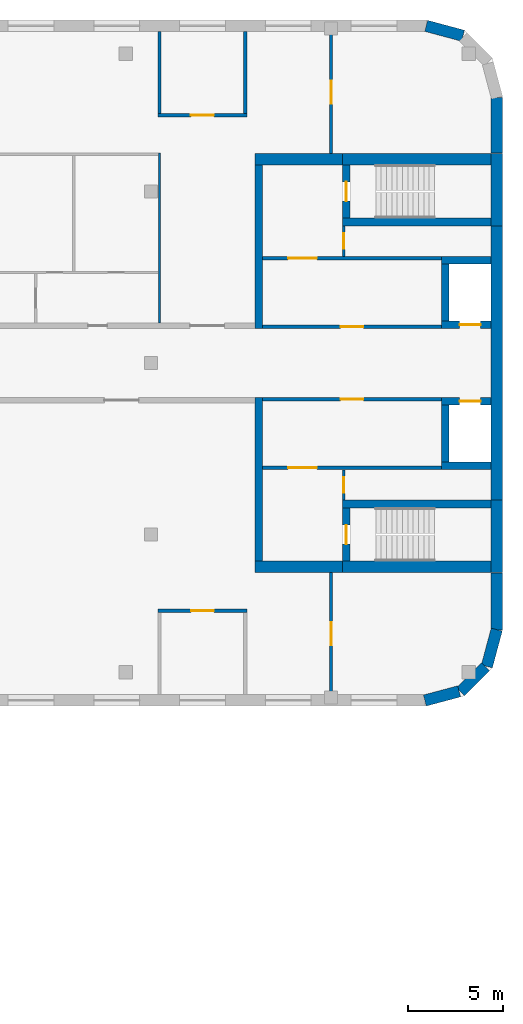
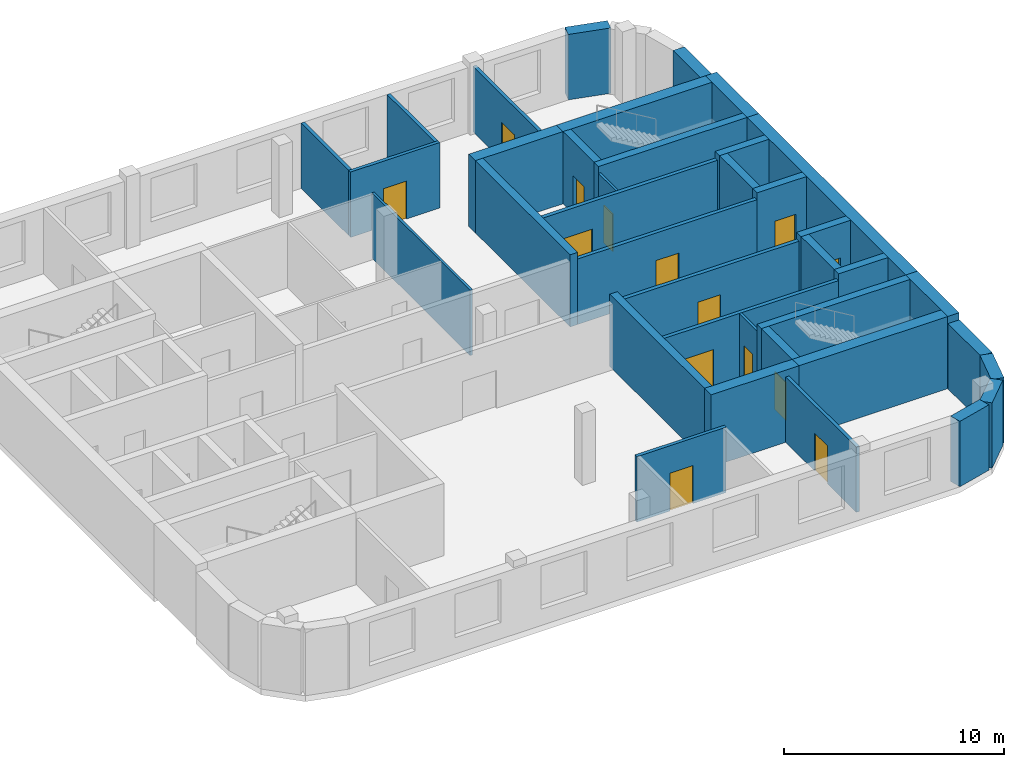
# One storey, part 9 of 12: 38 walls, 14 doors, 14 openings.
"""IFC4 building model written with IfcOpenShell, lengths in metres."""

from ifc_helpers import new_model, si_unit, direction, frame, frame_2d, origin, place, context, subcontext, project, spatial, rectangle, extrude, material, layer, layer_set, type_object, element, fill, save


model = new_model("IFC4")

# Units and contexts
model_context = context("Model", 3, precision=1e-05, world=origin(), true_north=direction((0.0, 1.0)))
body_context = subcontext(model_context, "Body", "Model", "MODEL_VIEW")
ifc_project = project(units=[si_unit("LENGTHUNIT", "METRE"), si_unit("AREAUNIT", "SQUARE_METRE"), si_unit("VOLUMEUNIT", "CUBIC_METRE"), si_unit("PLANEANGLEUNIT", "RADIAN"), si_unit("MASSUNIT", "GRAM", prefix="KILO")], contexts=[model_context])

# Site, building, storey
site_placement = place(None, origin())
site = spatial("IfcSite", under=ifc_project, at=site_placement, CompositionType="ELEMENT")
building_placement = place(site_placement, origin())
building = spatial("IfcBuilding", under=site, at=building_placement, Name="Skarvind Civic Tower", CompositionType="ELEMENT")
storey_placement = place(building_placement, frame((0.0, 0.0, 63.5)))
storey = spatial("IfcBuildingStorey", under=building, at=storey_placement, Name="L14", CompositionType="ELEMENT", Elevation=63.5)

# Wall, opening, door
ifc_material_1 = material(Name="Acoustic gypsum board on steel studs", Category="steel")
ifc_layer_1 = layer(ifc_material_1, 0.175048828125)
ifc_layer_set_1 = layer_set([ifc_layer_1], Name="ACOUSTIC MEETING-ROOM PARTITION 175")
wall_type_1 = type_object("IfcWallType", Name="ACOUSTIC MEETING-ROOM PARTITION 175", PredefinedType="PARTITIONING", material=ifc_layer_set_1)
wall_1_placement = place(storey_placement, frame((148.912109375, 115.0, 0.0), z_axis=(0.0, 0.0, 1.0), x_axis=(1.0, 0.0, 0.0)))
wall_1 = element("IfcWall", 1, at=wall_1_placement, inside=storey, type_object=wall_type_1, Name="Partition 14.009", PredefinedType="PARTITIONING", context=body_context, shape_type="SweptSolid", body=[
    extrude(rectangle(XDim=4.67578125, YDim=0.175048828125, at=frame_2d((2.337890625, 0.0))), origin(), (0.0, 0.0, 1.0), 3.625),
])
opening_1_placement = place(wall_1_placement, frame((1.738037109375, 0.0, 0.0)))
opening_1 = element("IfcOpeningElement", 2, at=opening_1_placement, cuts=wall_1, Name="Opening L14-D110", PredefinedType="OPENING", context=body_context, shape_type="SweptSolid", body=[
    extrude(rectangle(XDim=1.199951171875, YDim=2.10009765625, at=frame_2d((0.60009765625, 1.050048828125))), frame((0.0, 0.097412109375, 0.0), z_axis=(0.0, -1.0, 0.0), x_axis=(1.0, 0.0, 0.0)), (0.0, 0.0, 1.0), 0.195068359375),
])
ifc_material_2 = material(Name="Timber door leaf", Category="wood")
door_type_1 = type_object("IfcDoorType", Name="DOOR 1200X2100 DOUBLE TIMBER", OperationType="NOTDEFINED", PredefinedType="DOOR", material=ifc_material_2)
door_1_placement = place(opening_1_placement, origin())
door_1 = element("IfcDoor", 3, at=door_1_placement, inside=storey, type_object=door_type_1, Name="Door L14-D110", OperationType="DOUBLE_DOOR_SINGLE_SWING", OverallHeight=2.10009765625, OverallWidth=1.199951171875, PredefinedType="DOOR", context=body_context, shape_type="SweptSolid", body=[
    extrude(rectangle(XDim=1.199951171875, YDim=2.10009765625, at=frame_2d((0.60009765625, 1.050048828125))), frame((0.0, 0.02490234375, 0.0), z_axis=(0.0, -1.0, 0.0), x_axis=(1.0, 0.0, 0.0)), (0.0, 0.0, 1.0), 0.050048828125),
])
fill(opening_1, door_1)

# Wall
wall_2_placement = place(storey_placement, frame((149.0, 141.087890625, 0.0), z_axis=(0.0, 0.0, 1.0), x_axis=(0.0, 1.0, 0.0)))
element("IfcWall", 4, at=wall_2_placement, inside=storey, type_object=wall_type_1, Name="Partition 14.011", PredefinedType="PARTITIONING", context=body_context, shape_type="SweptSolid", body=[
    extrude(rectangle(XDim=4.31201171875, YDim=0.175048828125, at=frame_2d((2.156005859375, 0.0))), origin(), (0.0, 0.0, 1.0), 3.625),
])

# Wall, opening, door
wall_3_placement = place(storey_placement, frame((153.587890625, 141.0, 0.0), z_axis=(0.0, 0.0, 1.0), x_axis=(-1.0, 0.0, 0.0)))
wall_3 = element("IfcWall", 5, at=wall_3_placement, inside=storey, type_object=wall_type_1, Name="Partition 14.013", PredefinedType="PARTITIONING", context=body_context, shape_type="SweptSolid", body=[
    extrude(rectangle(XDim=4.67578125, YDim=0.175048828125, at=frame_2d((2.337890625, 0.0))), origin(), (0.0, 0.0, 1.0), 3.625),
])
opening_2_placement = place(wall_3_placement, frame((1.738037109375, 0.0, 0.0)))
opening_2 = element("IfcOpeningElement", 6, at=opening_2_placement, cuts=wall_3, Name="Opening L14-D106", PredefinedType="OPENING", context=body_context, shape_type="SweptSolid", body=[
    extrude(rectangle(XDim=1.199951171875, YDim=2.10009765625, at=frame_2d((0.60009765625, 1.050048828125))), frame((0.0, 0.097412109375, 0.0), z_axis=(0.0, -1.0, 0.0), x_axis=(1.0, 0.0, 0.0)), (0.0, 0.0, 1.0), 0.195068359375),
])
door_2_placement = place(opening_2_placement, origin())
door_2 = element("IfcDoor", 7, at=door_2_placement, inside=storey, type_object=door_type_1, Name="Door L14-D106", OperationType="DOUBLE_DOOR_SINGLE_SWING", OverallHeight=2.10009765625, OverallWidth=1.199951171875, PredefinedType="DOOR", context=body_context, shape_type="SweptSolid", body=[
    extrude(rectangle(XDim=1.199951171875, YDim=2.10009765625, at=frame_2d((0.60009765625, 1.050048828125))), frame((0.0, 0.02490234375, 0.0), z_axis=(0.0, -1.0, 0.0), x_axis=(1.0, 0.0, 0.0)), (0.0, 0.0, 1.0), 0.050048828125),
])
fill(opening_2, door_2)

# Wall
wall_4_placement = place(storey_placement, frame((153.5, 145.39990234375, 0.0), z_axis=(0.0, 0.0, 1.0), x_axis=(0.0, -1.0, 0.0)))
element("IfcWall", 8, at=wall_4_placement, inside=storey, type_object=wall_type_1, Name="Partition 14.014", PredefinedType="PARTITIONING", context=body_context, shape_type="SweptSolid", body=[
    extrude(rectangle(XDim=4.31201171875, YDim=0.175048828125, at=frame_2d((2.156005859375, 0.0))), origin(), (0.0, 0.0, 1.0), 3.625),
])

# Wall, opening, door
wall_5_placement = place(storey_placement, frame((158.0, 110.60009765625, 0.0), z_axis=(0.0, 0.0, 1.0), x_axis=(0.0, 1.0, 0.0)))
wall_5 = element("IfcWall", 9, at=wall_5_placement, inside=storey, type_object=wall_type_1, Name="Partition 14.016", PredefinedType="PARTITIONING", context=body_context, shape_type="SweptSolid", body=[
    extrude(rectangle(XDim=6.39990234375, YDim=0.175048828125, at=frame_2d((3.199951171875, 0.0))), origin(), (0.0, 0.0, 1.0), 3.625),
])
opening_3_placement = place(wall_5_placement, frame((2.60009765625, 0.0, 0.0)))
opening_3 = element("IfcOpeningElement", 10, at=opening_3_placement, cuts=wall_5, Name="Opening L14-D112", PredefinedType="OPENING", context=body_context, shape_type="SweptSolid", body=[
    extrude(rectangle(XDim=1.199951171875, YDim=2.10009765625, at=frame_2d((0.60009765625, 1.050048828125))), frame((0.0, 0.097412109375, 0.0), z_axis=(0.0, -1.0, 0.0), x_axis=(1.0, 0.0, 0.0)), (0.0, 0.0, 1.0), 0.195068359375),
])
door_3_placement = place(opening_3_placement, origin())
door_3 = element("IfcDoor", 11, at=door_3_placement, inside=storey, type_object=door_type_1, Name="Door L14-D112", OperationType="DOUBLE_DOOR_SINGLE_SWING", OverallHeight=2.10009765625, OverallWidth=1.199951171875, PredefinedType="DOOR", context=body_context, shape_type="SweptSolid", body=[
    extrude(rectangle(XDim=1.199951171875, YDim=2.10009765625, at=frame_2d((0.60009765625, 1.050048828125))), frame((0.0, 0.02490234375, 0.0), z_axis=(0.0, -1.0, 0.0), x_axis=(1.0, 0.0, 0.0)), (0.0, 0.0, 1.0), 0.050048828125),
])
fill(opening_3, door_3)

wall_6_placement = place(storey_placement, frame((158.0, 139.0, 0.0), z_axis=(0.0, 0.0, 1.0), x_axis=(0.0, 1.0, 0.0)))
wall_6 = element("IfcWall", 12, at=wall_6_placement, inside=storey, type_object=wall_type_1, Name="Partition 14.017", PredefinedType="PARTITIONING", context=body_context, shape_type="SweptSolid", body=[
    extrude(rectangle(XDim=6.39990234375, YDim=0.175048828125, at=frame_2d((3.199951171875, 0.0))), origin(), (0.0, 0.0, 1.0), 3.625),
])
opening_4_placement = place(wall_6_placement, frame((2.60009765625, 0.0, 0.0)))
opening_4 = element("IfcOpeningElement", 13, at=opening_4_placement, cuts=wall_6, Name="Opening L14-D108", PredefinedType="OPENING", context=body_context, shape_type="SweptSolid", body=[
    extrude(rectangle(XDim=1.199951171875, YDim=2.10009765625, at=frame_2d((0.60009765625, 1.050048828125))), frame((0.0, 0.097412109375, 0.0), z_axis=(0.0, -1.0, 0.0), x_axis=(1.0, 0.0, 0.0)), (0.0, 0.0, 1.0), 0.195068359375),
])
door_4_placement = place(opening_4_placement, origin())
door_4 = element("IfcDoor", 14, at=door_4_placement, inside=storey, type_object=door_type_1, Name="Door L14-D108", OperationType="DOUBLE_DOOR_SINGLE_SWING", OverallHeight=2.10009765625, OverallWidth=1.199951171875, PredefinedType="DOOR", context=body_context, shape_type="SweptSolid", body=[
    extrude(rectangle(XDim=1.199951171875, YDim=2.10009765625, at=frame_2d((0.60009765625, 1.050048828125))), frame((0.0, 0.02490234375, 0.0), z_axis=(0.0, -1.0, 0.0), x_axis=(1.0, 0.0, 0.0)), (0.0, 0.0, 1.0), 0.050048828125),
])
fill(opening_4, door_4)

ifc_material_3 = material(Name="Fire-rated masonry partition", Category="masonry")
ifc_layer_2 = layer(ifc_material_3, 0.199951171875)
ifc_layer_set_2 = layer_set([ifc_layer_2], Name="Core enclosure wall 200")
wall_type_2 = type_object("IfcWallType", Name="Core enclosure wall 200", PredefinedType="PARTITIONING", material=ifc_layer_set_2)
wall_7_placement = place(storey_placement, frame((163.800048828125, 126.10009765625, 0.0), z_axis=(0.0, 0.0, 1.0), x_axis=(-1.0, 0.0, 0.0)))
wall_7 = element("IfcWall", 15, at=wall_7_placement, inside=storey, type_object=wall_type_2, Name="Core wall CB", PredefinedType="PARTITIONING", context=body_context, shape_type="SweptSolid", body=[
    extrude(rectangle(XDim=9.400146484375, YDim=0.199951171875, at=frame_2d((4.7001953125, 0.0))), origin(), (0.0, 0.0, 1.0), 3.625),
])
opening_5_placement = place(wall_7_placement, frame((4.10009765625, 0.0, 0.0)))
opening_5 = element("IfcOpeningElement", 16, at=opening_5_placement, cuts=wall_7, Name="Opening D-L14-CB-03", PredefinedType="OPENING", context=body_context, shape_type="SweptSolid", body=[
    extrude(rectangle(XDim=1.199951171875, YDim=2.10009765625, at=frame_2d((0.60009765625, 1.050048828125))), frame((0.0, 0.10986328125, 0.0), z_axis=(0.0, -1.0, 0.0), x_axis=(1.0, 0.0, 0.0)), (0.0, 0.0, 1.0), 0.219970703125),
])
ifc_material_4 = material(Name="Fire-rated steel door", Category="steel")
door_type_2 = type_object("IfcDoorType", Name="Core lobby door 1200", OperationType="NOTDEFINED", PredefinedType="DOOR", material=ifc_material_4)
door_5_placement = place(opening_5_placement, origin())
door_5 = element("IfcDoor", 17, at=door_5_placement, inside=storey, type_object=door_type_2, Name="Fire door", OperationType="DOUBLE_DOOR_SINGLE_SWING", OverallHeight=2.10009765625, OverallWidth=1.199951171875, PredefinedType="DOOR", context=body_context, shape_type="SweptSolid", body=[
    extrude(rectangle(XDim=1.199951171875, YDim=2.10009765625, at=frame_2d((0.60009765625, 1.050048828125))), frame((0.0, 0.02490234375, 0.0), z_axis=(0.0, -1.0, 0.0), x_axis=(1.0, 0.0, 0.0)), (0.0, 0.0, 1.0), 0.050048828125),
])
fill(opening_5, door_5)

wall_8_placement = place(storey_placement, frame((163.800048828125, 122.5, 0.0), z_axis=(0.0, 0.0, 1.0), x_axis=(-1.0, 0.0, 0.0)))
wall_8 = element("IfcWall", 18, at=wall_8_placement, inside=storey, type_object=wall_type_2, Name="Core wall CB", PredefinedType="PARTITIONING", context=body_context, shape_type="SweptSolid", body=[
    extrude(rectangle(XDim=9.400146484375, YDim=0.199951171875, at=frame_2d((4.7001953125, 0.0))), origin(), (0.0, 0.0, 1.0), 3.625),
])
opening_6_placement = place(wall_8_placement, frame((6.550048828125, 0.0, 0.0)))
opening_6 = element("IfcOpeningElement", 19, at=opening_6_placement, cuts=wall_8, Name="Opening D-L14-CB-04", PredefinedType="OPENING", context=body_context, shape_type="SweptSolid", body=[
    extrude(rectangle(XDim=1.5, YDim=2.10009765625, at=frame_2d((0.75, 1.050048828125))), frame((0.0, 0.10986328125, 0.0), z_axis=(0.0, -1.0, 0.0), x_axis=(1.0, 0.0, 0.0)), (0.0, 0.0, 1.0), 0.219970703125),
])
door_type_3 = type_object("IfcDoorType", Name="Fire door 1500", OperationType="NOTDEFINED", PredefinedType="DOOR", material=ifc_material_4)
door_6_placement = place(opening_6_placement, origin())
door_6 = element("IfcDoor", 20, at=door_6_placement, inside=storey, type_object=door_type_3, Name="Fire door", OperationType="DOUBLE_DOOR_SINGLE_SWING", OverallHeight=2.10009765625, OverallWidth=1.5, PredefinedType="DOOR", context=body_context, shape_type="SweptSolid", body=[
    extrude(rectangle(XDim=1.5, YDim=2.10009765625, at=frame_2d((0.75, 1.050048828125))), frame((0.0, 0.02490234375, 0.0), z_axis=(0.0, -1.0, 0.0), x_axis=(1.0, 0.0, 0.0)), (0.0, 0.0, 1.0), 0.050048828125),
])
fill(opening_6, door_6)

wall_9_placement = place(storey_placement, frame((154.39990234375, 129.89990234375, 0.0), z_axis=(0.0, 0.0, 1.0), x_axis=(1.0, 0.0, 0.0)))
wall_9 = element("IfcWall", 21, at=wall_9_placement, inside=storey, type_object=wall_type_2, Name="Core wall CB", PredefinedType="PARTITIONING", context=body_context, shape_type="SweptSolid", body=[
    extrude(rectangle(XDim=9.400146484375, YDim=0.199951171875, at=frame_2d((4.7001953125, 0.0))), origin(), (0.0, 0.0, 1.0), 3.625),
])
opening_7_placement = place(wall_9_placement, frame((4.10009765625, 0.0, 0.0)))
opening_7 = element("IfcOpeningElement", 22, at=opening_7_placement, cuts=wall_9, Name="Opening D-L14-CB-07", PredefinedType="OPENING", context=body_context, shape_type="SweptSolid", body=[
    extrude(rectangle(XDim=1.199951171875, YDim=2.10009765625, at=frame_2d((0.60009765625, 1.050048828125))), frame((0.0, 0.10986328125, 0.0), z_axis=(0.0, -1.0, 0.0), x_axis=(1.0, 0.0, 0.0)), (0.0, 0.0, 1.0), 0.219970703125),
])
door_7_placement = place(opening_7_placement, origin())
door_7 = element("IfcDoor", 23, at=door_7_placement, inside=storey, type_object=door_type_2, Name="Fire door", OperationType="DOUBLE_DOOR_SINGLE_SWING", OverallHeight=2.10009765625, OverallWidth=1.199951171875, PredefinedType="DOOR", context=body_context, shape_type="SweptSolid", body=[
    extrude(rectangle(XDim=1.199951171875, YDim=2.10009765625, at=frame_2d((0.60009765625, 1.050048828125))), frame((0.0, 0.02490234375, 0.0), z_axis=(0.0, -1.0, 0.0), x_axis=(1.0, 0.0, 0.0)), (0.0, 0.0, 1.0), 0.050048828125),
])
fill(opening_7, door_7)

wall_10_placement = place(storey_placement, frame((154.39990234375, 133.5, 0.0), z_axis=(0.0, 0.0, 1.0), x_axis=(1.0, 0.0, 0.0)))
wall_10 = element("IfcWall", 24, at=wall_10_placement, inside=storey, type_object=wall_type_2, Name="Core wall CB", PredefinedType="PARTITIONING", context=body_context, shape_type="SweptSolid", body=[
    extrude(rectangle(XDim=9.400146484375, YDim=0.199951171875, at=frame_2d((4.7001953125, 0.0))), origin(), (0.0, 0.0, 1.0), 3.625),
])
opening_8_placement = place(wall_10_placement, frame((1.35009765625, 0.0, 0.0)))
opening_8 = element("IfcOpeningElement", 25, at=opening_8_placement, cuts=wall_10, Name="Opening D-L14-CB-08", PredefinedType="OPENING", context=body_context, shape_type="SweptSolid", body=[
    extrude(rectangle(XDim=1.5, YDim=2.10009765625, at=frame_2d((0.75, 1.050048828125))), frame((0.0, 0.10986328125, 0.0), z_axis=(0.0, -1.0, 0.0), x_axis=(1.0, 0.0, 0.0)), (0.0, 0.0, 1.0), 0.219970703125),
])
door_8_placement = place(opening_8_placement, origin())
door_8 = element("IfcDoor", 26, at=door_8_placement, inside=storey, type_object=door_type_3, Name="Fire door", OperationType="DOUBLE_DOOR_SINGLE_SWING", OverallHeight=2.10009765625, OverallWidth=1.5, PredefinedType="DOOR", context=body_context, shape_type="SweptSolid", body=[
    extrude(rectangle(XDim=1.5, YDim=2.10009765625, at=frame_2d((0.75, 1.050048828125))), frame((0.0, 0.02490234375, 0.0), z_axis=(0.0, -1.0, 0.0), x_axis=(1.0, 0.0, 0.0)), (0.0, 0.0, 1.0), 0.050048828125),
])
fill(opening_8, door_8)

# Wall
ifc_material_5 = material(Name="Concrete C80", Category="concrete")
ifc_layer_3 = layer(ifc_material_5, 0.39990234375)
ifc_layer_set_3 = layer_set([ifc_layer_3], Name="Core wall 400 C80")
wall_type_3 = type_object("IfcWallType", Name="Core wall 400 C80", PredefinedType="SHEAR", material=ifc_layer_set_3)
wall_11_placement = place(storey_placement, frame((166.39990234375, 135.39990234375, 0.0), z_axis=(0.0, 0.0, 1.0), x_axis=(-1.0, 0.0, 0.0)))
element("IfcWall", 27, at=wall_11_placement, inside=storey, type_object=wall_type_3, Name="Core wall CB south stair inner L14", PredefinedType="SHEAR", context=body_context, shape_type="SweptSolid", body=[
    extrude(rectangle(XDim=7.7998046875, YDim=0.39990234375, at=frame_2d((3.89990234375, 0.0))), origin(), (0.0, 0.0, 1.0), 4.0),
])

# Wall, opening, door
wall_12_placement = place(storey_placement, frame((158.800048828125, 138.39990234375, 0.0), z_axis=(0.0, 0.0, 1.0), x_axis=(0.0, -1.0, 0.0)))
wall_12 = element("IfcWall", 28, at=wall_12_placement, inside=storey, type_object=wall_type_3, Name="Core wall CB south stair end L14", PredefinedType="SHEAR", context=body_context, shape_type="SweptSolid", body=[
    extrude(rectangle(XDim=2.7998046875, YDim=0.39990234375, at=frame_2d((1.39990234375, 0.0))), origin(), (0.0, 0.0, 1.0), 4.0),
])
opening_9_placement = place(wall_12_placement, frame((0.89990234375, 0.0, 0.0)))
opening_9 = element("IfcOpeningElement", 29, at=opening_9_placement, cuts=wall_12, Name="Opening D-L14-CB-09", PredefinedType="OPENING", context=body_context, shape_type="SweptSolid", body=[
    extrude(rectangle(XDim=1.0, YDim=2.10009765625, at=frame_2d((0.5, 1.050048828125))), frame((0.0, 0.2099609375, 0.0), z_axis=(0.0, -1.0, 0.0), x_axis=(1.0, 0.0, 0.0)), (0.0, 0.0, 1.0), 0.419921875),
])
door_type_4 = type_object("IfcDoorType", Name="Fire door 1000", OperationType="NOTDEFINED", PredefinedType="DOOR", material=ifc_material_4)
door_9_placement = place(opening_9_placement, origin())
door_9 = element("IfcDoor", 30, at=door_9_placement, inside=storey, type_object=door_type_4, Name="Fire door", OperationType="SINGLE_SWING_RIGHT", OverallHeight=2.10009765625, OverallWidth=1.0, PredefinedType="DOOR", context=body_context, shape_type="SweptSolid", body=[
    extrude(rectangle(XDim=1.0, YDim=2.10009765625, at=frame_2d((0.5, 1.050048828125))), frame((0.0, 0.02490234375, 0.0), z_axis=(0.0, -1.0, 0.0), x_axis=(1.0, 0.0, 0.0)), (0.0, 0.0, 1.0), 0.050048828125),
])
fill(opening_9, door_9)

# Wall
wall_13_placement = place(storey_placement, frame((166.39990234375, 120.60009765625, 0.0), z_axis=(0.0, 0.0, 1.0), x_axis=(-1.0, 0.0, 0.0)))
element("IfcWall", 31, at=wall_13_placement, inside=storey, type_object=wall_type_3, Name="Core wall CB north stair inner L14", PredefinedType="SHEAR", context=body_context, shape_type="SweptSolid", body=[
    extrude(rectangle(XDim=7.7998046875, YDim=0.39990234375, at=frame_2d((3.89990234375, 0.0))), origin(), (0.0, 0.0, 1.0), 4.0),
])

# Wall, opening, door
wall_14_placement = place(storey_placement, frame((158.800048828125, 120.39990234375, 0.0), z_axis=(0.0, 0.0, 1.0), x_axis=(0.0, -1.0, 0.0)))
wall_14 = element("IfcWall", 32, at=wall_14_placement, inside=storey, type_object=wall_type_3, Name="Core wall CB north stair end L14", PredefinedType="SHEAR", context=body_context, shape_type="SweptSolid", body=[
    extrude(rectangle(XDim=2.7998046875, YDim=0.39990234375, at=frame_2d((1.39990234375, 0.0))), origin(), (0.0, 0.0, 1.0), 4.0),
])
opening_10_placement = place(wall_14_placement, frame((0.89990234375, 0.0, 0.0)))
opening_10 = element("IfcOpeningElement", 33, at=opening_10_placement, cuts=wall_14, Name="Opening D-L14-CB-05", PredefinedType="OPENING", context=body_context, shape_type="SweptSolid", body=[
    extrude(rectangle(XDim=1.0, YDim=2.10009765625, at=frame_2d((0.5, 1.050048828125))), frame((0.0, 0.2099609375, 0.0), z_axis=(0.0, -1.0, 0.0), x_axis=(1.0, 0.0, 0.0)), (0.0, 0.0, 1.0), 0.419921875),
])
door_10_placement = place(opening_10_placement, origin())
door_10 = element("IfcDoor", 34, at=door_10_placement, inside=storey, type_object=door_type_4, Name="Fire door", OperationType="SINGLE_SWING_LEFT", OverallHeight=2.10009765625, OverallWidth=1.0, PredefinedType="DOOR", context=body_context, shape_type="SweptSolid", body=[
    extrude(rectangle(XDim=1.0, YDim=2.10009765625, at=frame_2d((0.5, 1.050048828125))), frame((0.0, 0.02490234375, 0.0), z_axis=(0.0, -1.0, 0.0), x_axis=(1.0, 0.0, 0.0)), (0.0, 0.0, 1.0), 0.050048828125),
])
fill(opening_10, door_10)

wall_15_placement = place(storey_placement, frame((166.39990234375, 130.0, 0.0), z_axis=(0.0, 0.0, 1.0), x_axis=(-1.0, 0.0, 0.0)))
wall_15 = element("IfcWall", 35, at=wall_15_placement, inside=storey, type_object=wall_type_3, Name="Core wall CB south lift row front L14", PredefinedType="SHEAR", context=body_context, shape_type="SweptSolid", body=[
    extrude(rectangle(XDim=2.599853515625, YDim=0.39990234375, at=frame_2d((1.2998046875, 0.0))), origin(), (0.0, 0.0, 1.0), 4.0),
])
opening_11_placement = place(wall_15_placement, frame((0.550048828125, 0.0, 0.0)))
opening_11 = element("IfcOpeningElement", 36, at=opening_11_placement, cuts=wall_15, Name="Opening LD16402", PredefinedType="OPENING", context=body_context, shape_type="SweptSolid", body=[
    extrude(rectangle(XDim=1.10009765625, YDim=2.10009765625, at=frame_2d((0.550048828125, 1.050048828125))), frame((0.0, 0.2099609375, 0.0), z_axis=(0.0, -1.0, 0.0), x_axis=(1.0, 0.0, 0.0)), (0.0, 0.0, 1.0), 0.419921875),
])
ifc_material_6 = material(Name="Stainless steel landing door", Category="steel")
door_type_5 = type_object("IfcDoorType", Name="Lift landing door 1100", OperationType="DOUBLE_DOOR_SLIDING", PredefinedType="DOOR", material=ifc_material_6)
door_11_placement = place(opening_11_placement, origin())
door_11 = element("IfcDoor", 37, at=door_11_placement, inside=storey, type_object=door_type_5, Name="Lift landing door", OperationType="DOUBLE_DOOR_SLIDING", OverallHeight=2.10009765625, OverallWidth=1.10009765625, PredefinedType="DOOR", context=body_context, shape_type="SweptSolid", body=[
    extrude(rectangle(XDim=1.10009765625, YDim=2.10009765625, at=frame_2d((0.550048828125, 1.050048828125))), frame((0.0, 0.02490234375, 0.0), z_axis=(0.0, -1.0, 0.0), x_axis=(1.0, 0.0, 0.0)), (0.0, 0.0, 1.0), 0.050048828125),
])
fill(opening_11, door_11)

# Walls
wall_16_placement = place(storey_placement, frame((166.39990234375, 133.39990234375, 0.0), z_axis=(0.0, 0.0, 1.0), x_axis=(-1.0, 0.0, 0.0)))
element("IfcWall", 38, at=wall_16_placement, inside=storey, type_object=wall_type_3, Name="Core wall CB south lift row back L14", PredefinedType="SHEAR", context=body_context, shape_type="SweptSolid", body=[
    extrude(rectangle(XDim=2.599853515625, YDim=0.39990234375, at=frame_2d((1.2998046875, 0.0))), origin(), (0.0, 0.0, 1.0), 4.0),
])
wall_17_placement = place(storey_placement, frame((164.0, 133.199951171875, 0.0), z_axis=(0.0, 0.0, 1.0), x_axis=(0.0, -1.0, 0.0)))
element("IfcWall", 39, at=wall_17_placement, inside=storey, type_object=wall_type_3, Name="Core wall CB south lift row division 1 L14", PredefinedType="SHEAR", context=body_context, shape_type="SweptSolid", body=[
    extrude(rectangle(XDim=3.0, YDim=0.39990234375, at=frame_2d((1.5, 0.0))), origin(), (0.0, 0.0, 1.0), 4.0),
])

# Wall, opening, door
wall_18_placement = place(storey_placement, frame((166.39990234375, 126.0, 0.0), z_axis=(0.0, 0.0, 1.0), x_axis=(-1.0, 0.0, 0.0)))
wall_18 = element("IfcWall", 40, at=wall_18_placement, inside=storey, type_object=wall_type_3, Name="Core wall CB north lift row front L14", PredefinedType="SHEAR", context=body_context, shape_type="SweptSolid", body=[
    extrude(rectangle(XDim=2.599853515625, YDim=0.39990234375, at=frame_2d((1.2998046875, 0.0))), origin(), (0.0, 0.0, 1.0), 4.0),
])
opening_12_placement = place(wall_18_placement, frame((0.550048828125, 0.0, 0.0)))
opening_12 = element("IfcOpeningElement", 41, at=opening_12_placement, cuts=wall_18, Name="Opening LD16401", PredefinedType="OPENING", context=body_context, shape_type="SweptSolid", body=[
    extrude(rectangle(XDim=1.10009765625, YDim=2.10009765625, at=frame_2d((0.550048828125, 1.050048828125))), frame((0.0, 0.2099609375, 0.0), z_axis=(0.0, -1.0, 0.0), x_axis=(1.0, 0.0, 0.0)), (0.0, 0.0, 1.0), 0.419921875),
])
door_12_placement = place(opening_12_placement, origin())
door_12 = element("IfcDoor", 42, at=door_12_placement, inside=storey, type_object=door_type_5, Name="Lift landing door", OperationType="DOUBLE_DOOR_SLIDING", OverallHeight=2.10009765625, OverallWidth=1.10009765625, PredefinedType="DOOR", context=body_context, shape_type="SweptSolid", body=[
    extrude(rectangle(XDim=1.10009765625, YDim=2.10009765625, at=frame_2d((0.550048828125, 1.050048828125))), frame((0.0, 0.02490234375, 0.0), z_axis=(0.0, -1.0, 0.0), x_axis=(1.0, 0.0, 0.0)), (0.0, 0.0, 1.0), 0.050048828125),
])
fill(opening_12, door_12)

# Walls
wall_19_placement = place(storey_placement, frame((166.39990234375, 122.60009765625, 0.0), z_axis=(0.0, 0.0, 1.0), x_axis=(-1.0, 0.0, 0.0)))
element("IfcWall", 43, at=wall_19_placement, inside=storey, type_object=wall_type_3, Name="Core wall CB north lift row back L14", PredefinedType="SHEAR", context=body_context, shape_type="SweptSolid", body=[
    extrude(rectangle(XDim=2.599853515625, YDim=0.39990234375, at=frame_2d((1.2998046875, 0.0))), origin(), (0.0, 0.0, 1.0), 4.0),
])
wall_20_placement = place(storey_placement, frame((164.0, 125.800048828125, 0.0), z_axis=(0.0, 0.0, 1.0), x_axis=(0.0, -1.0, 0.0)))
element("IfcWall", 44, at=wall_20_placement, inside=storey, type_object=wall_type_3, Name="Core wall CB north lift row division 1 L14", PredefinedType="SHEAR", context=body_context, shape_type="SweptSolid", body=[
    extrude(rectangle(XDim=3.0, YDim=0.39990234375, at=frame_2d((1.5, 0.0))), origin(), (0.0, 0.0, 1.0), 4.0),
])
for number, where, z_axis, x_axis, name in (
    (45, (154.199951171875, 138.39990234375, 0.0), (0.0, 0.0, 1.0), (0.0, -1.0, 0.0), "Core wall CB south inner face L14"),
    (46, (154.199951171875, 126.199951171875, 0.0), (0.0, 0.0, 1.0), (0.0, -1.0, 0.0), "Core wall CB north inner face L14"),
):
    element("IfcWall", number, at=place(storey_placement, frame(where, z_axis=z_axis, x_axis=x_axis)), inside=storey, type_object=wall_type_3, Name=name, PredefinedType="SHEAR", context=body_context, shape_type="SweptSolid", body=[
        extrude(rectangle(XDim=8.599853515625, YDim=0.39990234375, at=frame_2d((4.2998046875, 0.0))), origin(), (0.0, 0.0, 1.0), 4.0),
    ])
ifc_layer_4 = layer(ifc_material_5, 0.60009765625)
ifc_layer_set_4 = layer_set([ifc_layer_4], Name="Core wall 600 C80")
wall_type_4 = type_object("IfcWallType", Name="Core wall 600 C80", PredefinedType="SHEAR", material=ifc_layer_set_4)
wall_21_placement = place(storey_placement, frame((166.699951171875, 139.0, 0.0), z_axis=(0.0, 0.0, 1.0), x_axis=(0.0, -1.0, 0.0)))
element("IfcWall", 47, at=wall_21_placement, inside=storey, type_object=wall_type_4, Name="Core wall CB tip at the south stair L14", PredefinedType="SHEAR", context=body_context, shape_type="SweptSolid", body=[
    extrude(rectangle(XDim=3.800048828125, YDim=0.60009765625, at=frame_2d((1.89990234375, 0.0))), origin(), (0.0, 0.0, 1.0), 4.0),
])
wall_22_placement = place(storey_placement, frame((166.699951171875, 135.199951171875, 0.0), z_axis=(0.0, 0.0, 1.0), x_axis=(0.0, -1.0, 0.0)))
element("IfcWall", 48, at=wall_22_placement, inside=storey, type_object=wall_type_4, Name="Core wall CB tip between the stairs L14", PredefinedType="SHEAR", context=body_context, shape_type="SweptSolid", body=[
    extrude(rectangle(XDim=14.39990234375, YDim=0.60009765625, at=frame_2d((7.199951171875, 0.0))), origin(), (0.0, 0.0, 1.0), 4.0),
])
wall_23_placement = place(storey_placement, frame((166.699951171875, 120.800048828125, 0.0), z_axis=(0.0, 0.0, 1.0), x_axis=(0.0, -1.0, 0.0)))
element("IfcWall", 49, at=wall_23_placement, inside=storey, type_object=wall_type_4, Name="Core wall CB tip at the north stair L14", PredefinedType="SHEAR", context=body_context, shape_type="SweptSolid", body=[
    extrude(rectangle(XDim=3.800048828125, YDim=0.60009765625, at=frame_2d((1.89990234375, 0.0))), origin(), (0.0, 0.0, 1.0), 4.0),
])
for number, where, z_axis, x_axis, name in (
    (50, (166.39990234375, 138.699951171875, 0.0), (0.0, 0.0, 1.0), (-1.0, 0.0, 0.0), "Core wall CB south side at the stair L14"),
    (51, (166.39990234375, 117.300048828125, 0.0), (0.0, 0.0, 1.0), (-1.0, 0.0, 0.0), "Core wall CB north side at the stair L14"),
):
    element("IfcWall", number, at=place(storey_placement, frame(where, z_axis=z_axis, x_axis=x_axis)), inside=storey, type_object=wall_type_4, Name=name, PredefinedType="SHEAR", context=body_context, shape_type="SweptSolid", body=[
        extrude(rectangle(XDim=7.7998046875, YDim=0.60009765625, at=frame_2d((3.89990234375, 0.0))), origin(), (0.0, 0.0, 1.0), 4.0),
    ])
for number, where, z_axis, x_axis, name in (
    (52, (158.60009765625, 138.699951171875, 0.0), (0.0, 0.0, 1.0), (-1.0, 0.0, 0.0), "Core wall CB south side L14"),
    (53, (158.60009765625, 117.300048828125, 0.0), (0.0, 0.0, 1.0), (-1.0, 0.0, 0.0), "Core wall CB north side L14"),
):
    element("IfcWall", number, at=place(storey_placement, frame(where, z_axis=z_axis, x_axis=x_axis)), inside=storey, type_object=wall_type_4, Name=name, PredefinedType="SHEAR", context=body_context, shape_type="SweptSolid", body=[
        extrude(rectangle(XDim=4.60009765625, YDim=0.60009765625, at=frame_2d((2.300048828125, 0.0))), origin(), (0.0, 0.0, 1.0), 4.0),
    ])

# Wall, opening, door
ifc_layer_5 = layer(ifc_material_3, 0.125)
ifc_layer_set_5 = layer_set([ifc_layer_5], Name="Riser wall 125")
wall_type_5 = type_object("IfcWallType", Name="Riser wall 125", PredefinedType="PARTITIONING", material=ifc_layer_set_5)
wall_24_placement = place(storey_placement, frame((158.66259765625, 120.800048828125, 0.0), z_axis=(0.0, 0.0, 1.0), x_axis=(0.0, 1.0, 0.0)))
wall_24 = element("IfcWall", 54, at=wall_24_placement, inside=storey, type_object=wall_type_5, Name="Core wall CB", PredefinedType="PARTITIONING", context=body_context, shape_type="SweptSolid", body=[
    extrude(rectangle(XDim=1.599853515625, YDim=0.125, at=frame_2d((0.7998046875, 0.0))), origin(), (0.0, 0.0, 1.0), 3.625),
])
opening_13_placement = place(wall_24_placement, frame((0.39990234375, 0.0, 0.0)))
opening_13 = element("IfcOpeningElement", 55, at=opening_13_placement, cuts=wall_24, Name="Opening D-L14-CB-06", PredefinedType="OPENING", context=body_context, shape_type="SweptSolid", body=[
    extrude(rectangle(XDim=0.800048828125, YDim=2.10009765625, at=frame_2d((0.39990234375, 1.050048828125))), frame((0.0, 0.072509765625, 0.0), z_axis=(0.0, -1.0, 0.0), x_axis=(1.0, 0.0, 0.0)), (0.0, 0.0, 1.0), 0.14501953125),
])
door_type_6 = type_object("IfcDoorType", Name="Core riser door 800", OperationType="NOTDEFINED", PredefinedType="DOOR", material=ifc_material_4)
door_13_placement = place(opening_13_placement, origin())
door_13 = element("IfcDoor", 56, at=door_13_placement, inside=storey, type_object=door_type_6, Name="Riser door", OperationType="SINGLE_SWING_RIGHT", OverallHeight=2.10009765625, OverallWidth=0.800048828125, PredefinedType="DOOR", context=body_context, shape_type="SweptSolid", body=[
    extrude(rectangle(XDim=0.800048828125, YDim=2.10009765625, at=frame_2d((0.39990234375, 1.050048828125))), frame((0.0, 0.02490234375, 0.0), z_axis=(0.0, -1.0, 0.0), x_axis=(1.0, 0.0, 0.0)), (0.0, 0.0, 1.0), 0.050048828125),
])
fill(opening_13, door_13)

wall_25_placement = place(storey_placement, frame((158.66259765625, 133.60009765625, 0.0), z_axis=(0.0, 0.0, 1.0), x_axis=(0.0, 1.0, 0.0)))
wall_25 = element("IfcWall", 57, at=wall_25_placement, inside=storey, type_object=wall_type_5, Name="Core wall CB", PredefinedType="PARTITIONING", context=body_context, shape_type="SweptSolid", body=[
    extrude(rectangle(XDim=1.599853515625, YDim=0.125, at=frame_2d((0.7998046875, 0.0))), origin(), (0.0, 0.0, 1.0), 3.625),
])
opening_14_placement = place(wall_25_placement, frame((0.39990234375, 0.0, 0.0)))
opening_14 = element("IfcOpeningElement", 58, at=opening_14_placement, cuts=wall_25, Name="Opening D-L14-CB-10", PredefinedType="OPENING", context=body_context, shape_type="SweptSolid", body=[
    extrude(rectangle(XDim=0.800048828125, YDim=2.10009765625, at=frame_2d((0.39990234375, 1.050048828125))), frame((0.0, 0.072509765625, 0.0), z_axis=(0.0, -1.0, 0.0), x_axis=(1.0, 0.0, 0.0)), (0.0, 0.0, 1.0), 0.14501953125),
])
door_14_placement = place(opening_14_placement, origin())
door_14 = element("IfcDoor", 59, at=door_14_placement, inside=storey, type_object=door_type_6, Name="Riser door", OperationType="SINGLE_SWING_LEFT", OverallHeight=2.10009765625, OverallWidth=0.800048828125, PredefinedType="DOOR", context=body_context, shape_type="SweptSolid", body=[
    extrude(rectangle(XDim=0.800048828125, YDim=2.10009765625, at=frame_2d((0.39990234375, 1.050048828125))), frame((0.0, 0.02490234375, 0.0), z_axis=(0.0, -1.0, 0.0), x_axis=(1.0, 0.0, 0.0)), (0.0, 0.0, 1.0), 0.050048828125),
])
fill(opening_14, door_14)

# Walls
ifc_material_7 = material(Name="Moisture-resistant gypsum board on steel studs", Category="steel")
ifc_layer_6 = layer(ifc_material_7, 0.125)
ifc_layer_set_6 = layer_set([ifc_layer_6], Name="WC PARTITION 125")
wall_type_6 = type_object("IfcWallType", Name="WC PARTITION 125", PredefinedType="PARTITIONING", material=ifc_layer_set_6)
wall_26_placement = place(storey_placement, frame((149.0, 139.011962890625, 0.0), z_axis=(0.0, 0.0, 1.0), x_axis=(0.0, -1.0, 0.0)))
element("IfcWall", 60, at=wall_26_placement, inside=storey, type_object=wall_type_6, Name="Partition 14.010", PredefinedType="PARTITIONING", context=body_context, shape_type="SweptSolid", body=[
    extrude(rectangle(XDim=8.911865234375, YDim=0.125, at=frame_2d((4.4560546875, 0.0))), origin(), (0.0, 0.0, 1.0), 3.625),
])
ifc_material_8 = material(Name="Limestone masonry cladding on insulated backing", Category="masonry")
ifc_layer_7 = layer(ifc_material_8, 0.60009765625)
ifc_layer_set_7 = layer_set([ifc_layer_7], Name="WX1 STONE FACADE WALL 600")
wall_type_7 = type_object("IfcWallType", Name="WX1 STONE FACADE WALL 600", PredefinedType="SOLIDWALL", material=ifc_layer_set_7)
for number, where, z_axis, x_axis, name in (
    (61, (164.719482421875, 110.771240234375, 0.0), (0.0, 0.0, 1.0), (-0.965938094805, -0.258773254036, 0.0), "STONE FACADE WALL"),
    (62, (166.103515625, 112.063720703125, 0.0), (0.0, 0.0, 1.0), (-0.707106781187, -0.707106781187, 0.0), "STONE FACADE WALL"),
):
    element("IfcWall", number, at=place(storey_placement, frame(where, z_axis=z_axis, x_axis=x_axis)), inside=storey, type_object=wall_type_7, Name=name, PredefinedType="SOLIDWALL", context=body_context, shape_type="SweptSolid", body=[
        extrude(rectangle(XDim=1.860595703125, YDim=0.60009765625, at=frame_2d((0.93017578125, 0.0))), origin(), (0.0, 0.0, 1.0), 3.625),
    ])
wall_27_placement = place(storey_placement, frame((166.692138671875, 114.010009765625, 0.0), z_axis=(0.0, 0.0, 1.0), x_axis=(-0.258839784042, -0.965920269068, 0.0)))
element("IfcWall", 63, at=wall_27_placement, inside=storey, type_object=wall_type_7, Name="STONE FACADE WALL", PredefinedType="SOLIDWALL", context=body_context, shape_type="SweptSolid", body=[
    extrude(rectangle(XDim=2.00048828125, YDim=0.60009765625, at=frame_2d((1.000244140625, 0.0))), origin(), (0.0, 0.0, 1.0), 3.625),
])
wall_28_placement = place(storey_placement, frame((166.699951171875, 116.97998046875, 0.0), z_axis=(0.0, 0.0, 1.0), x_axis=(0.0, -1.0, 0.0)))
element("IfcWall", 64, at=wall_28_placement, inside=storey, type_object=wall_type_7, Name="STONE FACADE WALL", PredefinedType="SOLIDWALL", context=body_context, shape_type="SweptSolid", body=[
    extrude(rectangle(XDim=2.97998046875, YDim=0.60009765625, at=frame_2d((1.489990234375, 0.0))), origin(), (0.0, 0.0, 1.0), 3.625),
])
wall_29_placement = place(storey_placement, frame((166.699951171875, 141.929931640625, 0.0), z_axis=(0.0, 0.0, 1.0), x_axis=(0.0, -1.0, 0.0)))
element("IfcWall", 65, at=wall_29_placement, inside=storey, type_object=wall_type_7, Name="STONE FACADE WALL", PredefinedType="SOLIDWALL", context=body_context, shape_type="SweptSolid", body=[
    extrude(rectangle(XDim=2.909912109375, YDim=0.60009765625, at=frame_2d((1.455078125, 0.0))), origin(), (0.0, 0.0, 1.0), 3.625),
])
wall_30_placement = place(storey_placement, frame((162.989990234375, 145.692138671875, 0.0), z_axis=(0.0, 0.0, 1.0), x_axis=(0.965920269068, -0.258839784042, 0.0)))
element("IfcWall", 66, at=wall_30_placement, inside=storey, type_object=wall_type_7, Name="STONE FACADE WALL", PredefinedType="SOLIDWALL", context=body_context, shape_type="SweptSolid", body=[
    extrude(rectangle(XDim=2.00048828125, YDim=0.60009765625, at=frame_2d((1.000244140625, 0.0))), origin(), (0.0, 0.0, 1.0), 3.625),
])

save(model, "model.ifc")
